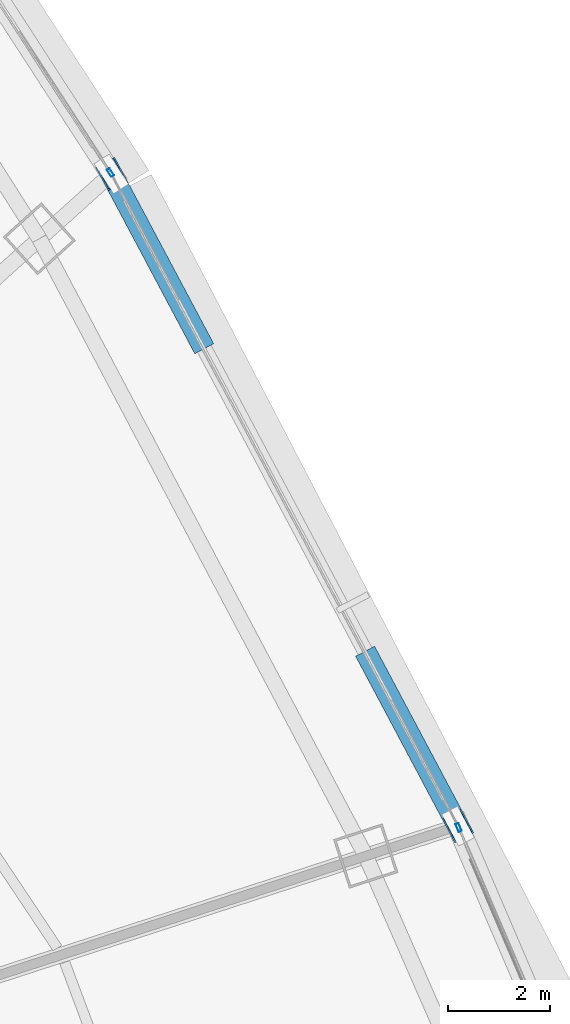
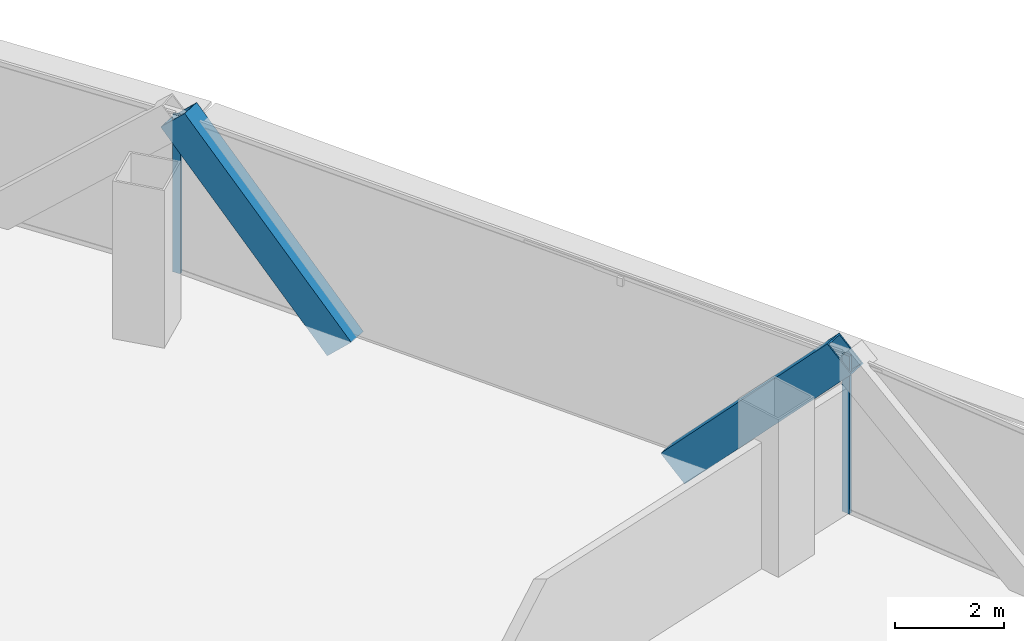
# One storey, part 24 of 39: 4 members, 2 elements without a shape of their own.
"""IFC4 building model written with IfcOpenShell, lengths in metres."""

from ifc_helpers import new_model, si_unit, direction, frame, origin, origin_2d, place, context, subcontext, project, spatial, hollow_rectangle, extrude, source, transform, mapped, material, layer, layer_set, material_profile, profile_set, type_object, element, aggregate, save


model = new_model("IFC4")

# Units and contexts
model_context = context("Model", 3, precision=1e-05, world=origin(), true_north=direction((0.0, 1.0)))
body_context = subcontext(model_context, "Body", "Model", "MODEL_VIEW")
ifc_project = project(units=[si_unit("LENGTHUNIT", "METRE"), si_unit("AREAUNIT", "SQUARE_METRE"), si_unit("VOLUMEUNIT", "CUBIC_METRE"), si_unit("PLANEANGLEUNIT", "RADIAN"), si_unit("MASSUNIT", "GRAM", prefix="KILO"), si_unit("THERMODYNAMICTEMPERATUREUNIT", "KELVIN"), si_unit("POWERUNIT", "WATT")], contexts=[model_context])

# Site, building, storey
site_placement = place(None, origin())
site = spatial("IfcSite", under=ifc_project, at=site_placement, CompositionType="ELEMENT")
building_placement = place(site_placement, origin())
building = spatial("IfcBuilding", under=site, at=building_placement, Name="Yunzhuo Pagoda Commons", CompositionType="ELEMENT")
storey_placement = place(building_placement, frame((0.0, 0.0, 92.580078125)))
storey = spatial("IfcBuildingStorey", under=building, at=storey_placement, Name="L23", CompositionType="ELEMENT", Elevation=92.580078125)

# Members
ifc_material_1 = material(Name="Structural steel Q420B", Category="steel")
ifc_material_profile_1 = material_profile(ifc_material_1, hollow_rectangle(XDim=0.419921875, YDim=0.719970703125, WallThickness=0.028076171875, at=origin_2d()), Name="Structural steel Q420B")
ifc_profile_set_1 = profile_set([ifc_material_profile_1], Name="Structural steel Q420B")
member_type_1 = type_object("IfcMemberType", Name="M-DL1 Brace BOX 720x420x28", PredefinedType="BRACE", material=ifc_profile_set_1)
shared_shape_1 = source(origin(), body_context, "Body", "SweptSolid", [
    extrude(hollow_rectangle(XDim=0.419921875, YDim=0.719970703125, WallThickness=0.028076171875, at=origin_2d()), origin(), (0.0, 0.0, 1.0), 5.243896484375),
])
for number, where, z_axis, x_axis, name in (
    (1, (79.10009765625, 47.547119140625, -0.260009765625), (0.32347124873, -0.608487222351, 0.724644500069), (0.882987979283, 0.469395599086, 0.0), "L23 facade diamond brace F2.2L"),
    (2, (75.70703125, 53.92919921875, -0.260009765625), (-0.32347124873, 0.608487222351, 0.724644500069), (-0.882987979283, -0.469395599086, 0.0), "L23 facade diamond brace F2.2R"),
):
    element("IfcMember", number, at=place(storey_placement, frame(where, z_axis=z_axis, x_axis=x_axis)), inside=storey, type_object=member_type_1, Name=name, PredefinedType="BRACE", context=body_context, shape_type="MappedRepresentation", body=[
        mapped(shared_shape_1, transform((0.0, 0.0, 0.0), scale=1.0)),
    ])

# Curtain wall, member
ifc_material_2 = material(Name="Anodized aluminium 6063-T6", Category="aluminium")
ifc_layer = layer(ifc_material_2, 0.1650390625)
ifc_layer_set = layer_set([ifc_layer], Name="Anodized aluminium 6063-T6")
curtain_wall_type = type_object("IfcCurtainWallType", Name="CW-LOW Low-Zone Ribbon Curtain Wall", PredefinedType="NOTDEFINED", material=ifc_layer_set)
curtain_wall_1_placement = place(storey_placement, origin())
curtain_wall_1 = element("IfcCurtainWall", 3, at=curtain_wall_1_placement, inside=storey, type_object=curtain_wall_type, Name="L23 curtain wall CW-L23-F2B2", PredefinedType="NOTDEFINED")
ifc_material_profile_2 = material_profile(ifc_material_2, hollow_rectangle(XDim=0.06494140625, YDim=0.1650390625, WallThickness=0.00390625, at=origin_2d()), Name="Anodized aluminium 6063-T6")
ifc_profile_set_2 = profile_set([ifc_material_profile_2], Name="Anodized aluminium 6063-T6")
member_type_2 = type_object("IfcMemberType", Name="CW-LOW-M Mullion RHS 165x65x4", PredefinedType="MULLION", material=ifc_profile_set_2)
shared_shape_2 = source(origin(), body_context, "Body", "SweptSolid", [
    extrude(hollow_rectangle(XDim=0.06494140625, YDim=0.1650390625, WallThickness=0.00390625, at=origin_2d()), origin(), (0.0, 0.0, 1.0), 3.5400390625),
])
member_1_placement = place(storey_placement, frame((80.80908203125, 44.326416015625, 0.0), z_axis=(0.0, 0.0, 1.0), x_axis=(-0.919382894415, -0.393363818185, 0.0)))
member_1 = element("IfcMember", 4, at=member_1_placement, type_object=member_type_2, Name="CW mullion 2", PredefinedType="MULLION", context=body_context, shape_type="MappedRepresentation", body=[
    mapped(shared_shape_2, transform((0.0, 0.0, 0.0), scale=1.0)),
])
aggregate(curtain_wall_1, [member_1])

curtain_wall_2_placement = place(storey_placement, origin())
curtain_wall_2 = element("IfcCurtainWall", 5, at=curtain_wall_2_placement, inside=storey, type_object=curtain_wall_type, Name="L23 curtain wall CW-L23-F2B4", PredefinedType="NOTDEFINED")
member_2_placement = place(storey_placement, frame((73.992919921875, 57.1474609375, 0.0), z_axis=(0.0, 0.0, 1.0), x_axis=(-0.838972259493, -0.544174188841, 0.0)))
member_2 = element("IfcMember", 6, at=member_2_placement, type_object=member_type_2, Name="CW mullion 1", PredefinedType="MULLION", context=body_context, shape_type="MappedRepresentation", body=[
    mapped(shared_shape_2, transform((0.0, 0.0, 0.0), scale=1.0)),
])
aggregate(curtain_wall_2, [member_2])

save(model, "model.ifc")
